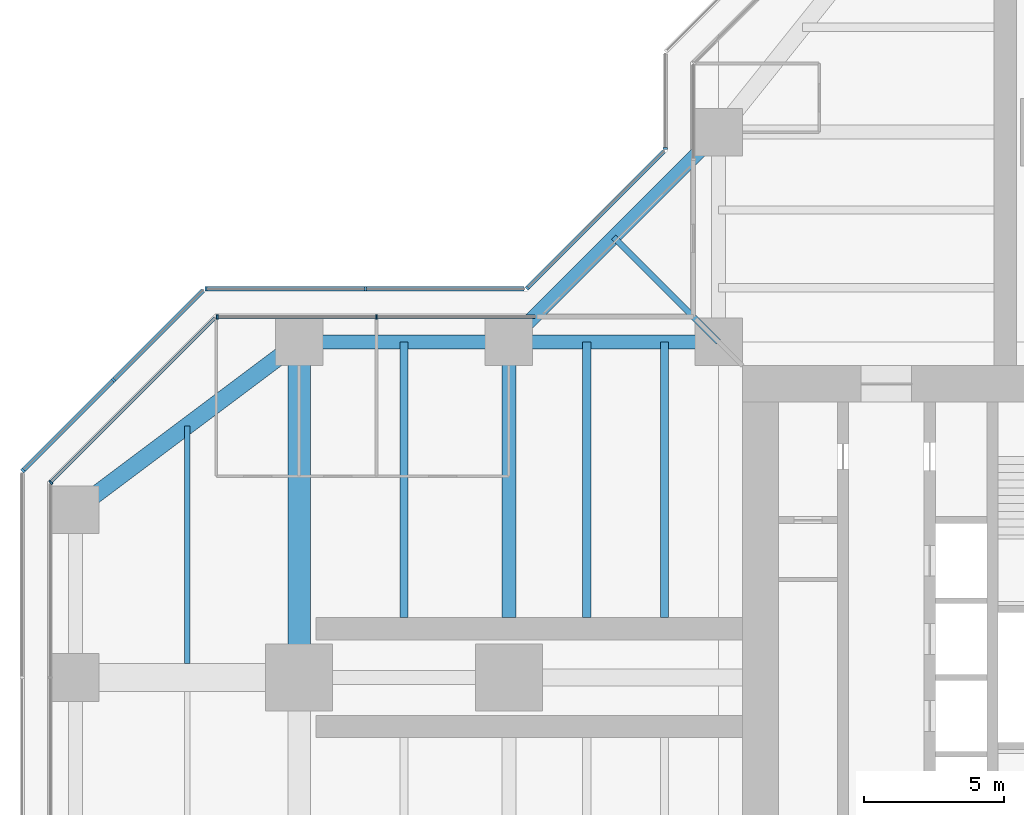
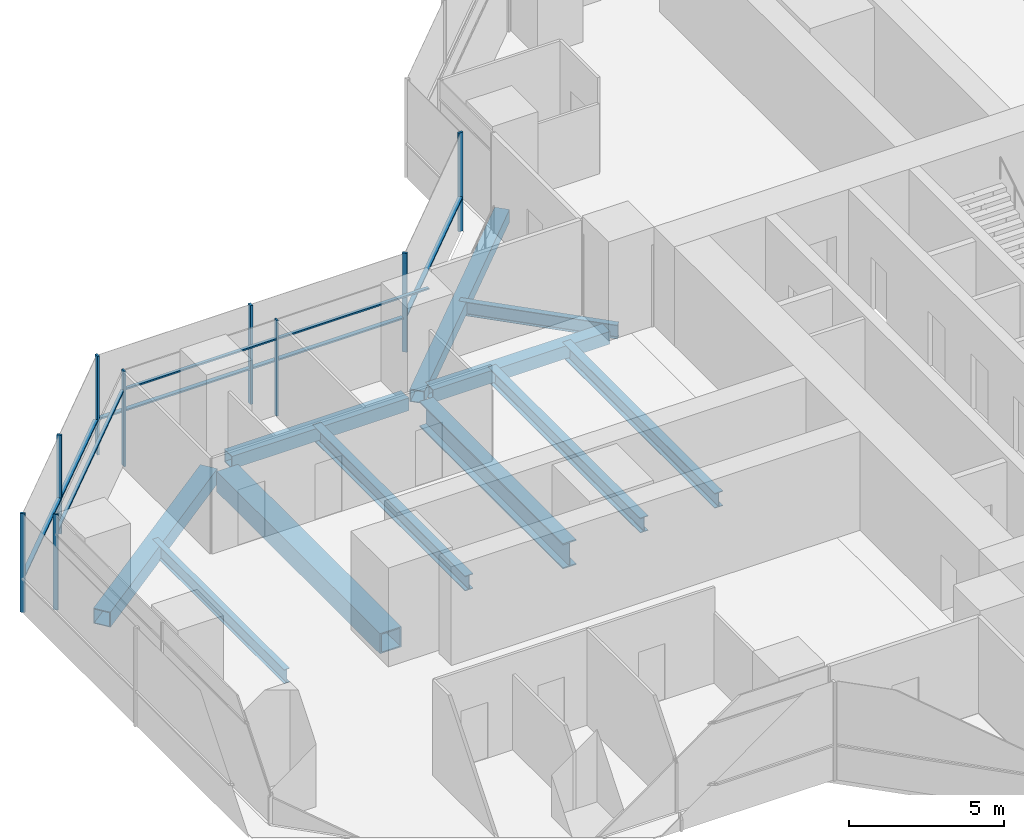
# One storey, part 7 of 20: 17 members, 11 beams, 6 elements without a shape of their own.
"""IFC4 building model written with IfcOpenShell, lengths in metres."""

from ifc_helpers import new_model, si_unit, direction, frame, origin, origin_2d, place, context, subcontext, project, spatial, rectangle, hollow_rectangle, i_section, extrude, material, material_profile, profile_set, type_object, element, aggregate, save


model = new_model("IFC4")

# Units and contexts
model_context = context("Model", 3, precision=1e-05, world=origin(), true_north=direction((0.0, 1.0)))
body_context = subcontext(model_context, "Body", "Model", "MODEL_VIEW")
ifc_project = project(units=[si_unit("LENGTHUNIT", "METRE"), si_unit("AREAUNIT", "SQUARE_METRE"), si_unit("VOLUMEUNIT", "CUBIC_METRE"), si_unit("PLANEANGLEUNIT", "RADIAN"), si_unit("MASSUNIT", "GRAM", prefix="KILO")], contexts=[model_context])

# Site, building, storey
site_placement = place(None, origin())
site = spatial("IfcSite", under=ifc_project, at=site_placement, CompositionType="ELEMENT")
building_placement = place(site_placement, origin())
building = spatial("IfcBuilding", under=site, at=building_placement, Name="Mizan Broadcast Tower", CompositionType="ELEMENT")
storey_placement = place(building_placement, frame((0.0, 0.0, 174.89990234375)))
storey = spatial("IfcBuildingStorey", under=building, at=storey_placement, Name="L40", CompositionType="ELEMENT", Elevation=174.89990234375)

# Beams
ifc_material_1 = material(Name="Steel S355", Category="steel")
ifc_material_profile_1 = material_profile(ifc_material_1, hollow_rectangle(XDim=0.5, YDim=0.5, WallThickness=0.030029296875, at=origin_2d()), Name="BOX 500x500x30")
ifc_profile_set_1 = profile_set([ifc_material_profile_1], Name="Steel S355")
beam_type_1 = type_object("IfcBeamType", Name="EDGE BEAM BOX 500x500x30", PredefinedType="SPANDREL", material=ifc_profile_set_1)
for number, where, z_axis, x_axis, name in (
    (1, (-12.449951171875, 12.0, -0.3798828125), (-1.0, 0.0, 0.0), (0.0, -1.0, 0.0), "Edge beam BOX 500x500x30 L40 west arm"),
    (2, (-19.949951171875, 12.0, -0.3798828125), (-1.0, 0.0, 0.0), (0.0, -1.0, 0.0), "Edge beam BOX 500x500x30 L40 west arm"),
):
    element("IfcBeam", number, at=place(storey_placement, frame(where, z_axis=z_axis, x_axis=x_axis)), inside=storey, type_object=beam_type_1, Name=name, PredefinedType="SPANDREL", context=body_context, shape_type="SweptSolid", body=[
        extrude(hollow_rectangle(XDim=0.5, YDim=0.5, WallThickness=0.030029296875, at=origin_2d()), origin(), (0.0, 0.0, 1.0), 6.60009765625),
    ])
beam_1_placement = place(storey_placement, frame((-12.0, 19.5, -0.3798828125), z_axis=(-0.707106781187, -0.707106781187, 0.0), x_axis=(0.707106781187, -0.707106781187, 0.0)))
element("IfcBeam", 3, at=beam_1_placement, inside=storey, type_object=beam_type_1, Name="Winter garden edge beam L40 N", PredefinedType="SPANDREL", context=body_context, shape_type="SweptSolid", body=[
    extrude(hollow_rectangle(XDim=0.5, YDim=0.5, WallThickness=0.030029296875, at=origin_2d()), origin(), (0.0, 0.0, 1.0), 10.606689453125),
])
ifc_material_2 = material(Name="Steel S355", Category="steel")
ifc_material_profile_2 = material_profile(ifc_material_2, hollow_rectangle(XDim=0.60009765625, YDim=0.60009765625, WallThickness=0.030029296875, at=origin_2d()), Name="BOX 600x600x30")
ifc_profile_set_2 = profile_set([ifc_material_profile_2], Name="Steel S355")
beam_type_2 = type_object("IfcBeamType", Name="EDGE BEAM BOX 600x600x30", PredefinedType="SPANDREL", material=ifc_profile_set_2)
beam_2_placement = place(storey_placement, frame((-27.47998046875, 11.639892578125, -0.429931640625), z_axis=(-0.800013316712, -0.599982243973, 0.0), x_axis=(0.599982243973, -0.800013316712, 0.0)))
element("IfcBeam", 4, at=beam_2_placement, inside=storey, type_object=beam_type_2, Name="Edge beam BOX 600x600x30 L40 west arm", PredefinedType="SPANDREL", context=body_context, shape_type="SweptSolid", body=[
    extrude(hollow_rectangle(XDim=0.60009765625, YDim=0.60009765625, WallThickness=0.030029296875, at=origin_2d()), origin(), (0.0, 0.0, 1.0), 8.7998046875),
])
ifc_material_3 = material(Name="Steel S460", Category="steel")
ifc_material_profile_3 = material_profile(ifc_material_3, hollow_rectangle(XDim=0.800048828125, YDim=0.800048828125, WallThickness=0.050048828125, at=origin_2d()), Name="BOX 800x800x50")
ifc_profile_set_3 = profile_set([ifc_material_profile_3], Name="Steel S460")
beam_type_3 = type_object("IfcBeamType", Name="GIRDER BOX 800x800x50", PredefinedType="BEAM", material=ifc_profile_set_3)
beam_3_placement = place(storey_placement, frame((-27.0, 11.280029296875, -0.52978515625), z_axis=(0.0, -1.0, 0.0), x_axis=(1.0, 0.0, 0.0)))
element("IfcBeam", 5, at=beam_3_placement, inside=storey, type_object=beam_type_3, Name="Girder BOX 800x800x50 L40 west arm", PredefinedType="BEAM", context=body_context, shape_type="SweptSolid", body=[
    extrude(hollow_rectangle(XDim=0.800048828125, YDim=0.800048828125, WallThickness=0.050048828125, at=origin_2d()), origin(), (0.0, 0.0, 1.0), 10.56005859375),
])
ifc_material_4 = material(Name="Steel S460", Category="steel")
ifc_material_profile_4 = material_profile(ifc_material_4, i_section(OverallWidth=0.5, OverallDepth=1.0, WebThickness=0.02490234375, FlangeThickness=0.050048828125, at=origin_2d()), Name="WPG 1000x500")
ifc_profile_set_4 = profile_set([ifc_material_profile_4], Name="Steel S460")
beam_type_4 = type_object("IfcBeamType", Name="GIRDER WPG 1000x500", PredefinedType="BEAM", material=ifc_profile_set_4)
beam_4_placement = place(storey_placement, frame((-19.5, 11.408935546875, -0.6298828125), z_axis=(0.0, -1.0, 0.0), x_axis=(1.0, 0.0, 0.0)))
element("IfcBeam", 6, at=beam_4_placement, inside=storey, type_object=beam_type_4, Name="Girder WPG 1000x500 L40 west arm", PredefinedType="BEAM", context=body_context, shape_type="SweptSolid", body=[
    extrude(i_section(OverallWidth=0.5, OverallDepth=1.0, WebThickness=0.02490234375, FlangeThickness=0.050048828125, at=origin_2d()), origin(), (0.0, 0.0, 1.0), 9.259033203125),
])

# Curtain wall, members
ifc_material_5 = material(Name="Aluminium framed glazing", Category="aluminium")
curtain_wall_type_1 = type_object("IfcCurtainWallType", Name="INNER SKIN MID ZONE", PredefinedType="USERDEFINED", material=ifc_material_5)
curtain_wall_1_placement = place(storey_placement, origin())
curtain_wall_1 = element("IfcCurtainWall", 7, at=curtain_wall_1_placement, inside=storey, type_object=curtain_wall_type_1, Name="Inner skin mid zone L40 W side", ObjectType="INNER SKIN MID ZONE", PredefinedType="USERDEFINED")
ifc_material_6 = material(Name="Aluminium, pale anodised", Category="aluminium")
ifc_material_profile_5 = material_profile(ifc_material_6, rectangle(XDim=0.159912109375, YDim=0.06005859375, at=origin_2d()), Name="MULLION 160x60")
ifc_profile_set_5 = profile_set([ifc_material_profile_5], Name="Aluminium, pale anodised")
member_type_1 = type_object("IfcMemberType", Name="INNER SKIN MULLION 60x160", PredefinedType="MULLION", material=ifc_profile_set_5)
member_1_placement = place(storey_placement, frame((-24.229248046875, 12.89990234375, 0.0), z_axis=(0.0, 0.0, 1.0), x_axis=(0.0, -1.0, 0.0)))
member_1 = element("IfcMember", 8, at=member_1_placement, type_object=member_type_1, Name="Inner skin mid zone L40 W side mullion 2", PredefinedType="MULLION", context=body_context, shape_type="SweptSolid", body=[
    extrude(rectangle(XDim=0.159912109375, YDim=0.06005859375, at=origin_2d()), origin(), (0.0, 0.0, 1.0), 3.77001953125),
])
member_2_placement = place(storey_placement, frame((-29.928466796875, 12.89990234375, 0.0), z_axis=(0.0, 0.0, 1.0), x_axis=(0.0, -1.0, 0.0)))
member_2 = element("IfcMember", 9, at=member_2_placement, type_object=member_type_1, Name="Inner skin mid zone L40 W side mullion 3", PredefinedType="MULLION", context=body_context, shape_type="SweptSolid", body=[
    extrude(rectangle(XDim=0.159912109375, YDim=0.06005859375, at=origin_2d()), origin(), (0.0, 0.0, 1.0), 3.77001953125),
])

# Curtain wall, member
curtain_wall_2_placement = place(storey_placement, origin())
curtain_wall_2 = element("IfcCurtainWall", 10, at=curtain_wall_2_placement, inside=storey, type_object=curtain_wall_type_1, Name="Inner skin mid zone L40 W chamfer", ObjectType="INNER SKIN MID ZONE", PredefinedType="USERDEFINED")
member_3_placement = place(storey_placement, frame((-35.87890625, 6.979736328125, 0.0), z_axis=(0.0, 0.0, 1.0), x_axis=(0.707106781187, -0.707106781187, 0.0)))
member_3 = element("IfcMember", 11, at=member_3_placement, type_object=member_type_1, Name="Inner skin mid zone L40 W chamfer mullion 2", PredefinedType="MULLION", context=body_context, shape_type="SweptSolid", body=[
    extrude(rectangle(XDim=0.159912109375, YDim=0.06005859375, at=origin_2d()), origin(), (0.0, 0.0, 1.0), 3.77001953125),
])

# Member
ifc_material_7 = material(Name="Aluminium, pale anodised", Category="aluminium")
ifc_material_profile_6 = material_profile(ifc_material_7, rectangle(XDim=0.1201171875, YDim=0.06005859375, at=origin_2d()), Name="TRANSOM 120x60")
ifc_profile_set_6 = profile_set([ifc_material_profile_6], Name="Aluminium, pale anodised")
member_type_2 = type_object("IfcMemberType", Name="INNER SKIN TRANSOM 60x120", PredefinedType="USERDEFINED", material=ifc_profile_set_6)
member_4_placement = place(storey_placement, frame((-18.56005859375, 12.89990234375, 3.030029296875), z_axis=(-1.0, 0.0, 0.0), x_axis=(0.0, -1.0, 0.0)))
member_4 = element("IfcMember", 12, at=member_4_placement, type_object=member_type_2, Name="Inner skin mid zone L40 W side transom 1.1", ObjectType="TRANSOM", PredefinedType="USERDEFINED", context=body_context, shape_type="SweptSolid", body=[
    extrude(rectangle(XDim=0.1201171875, YDim=0.06005859375, at=origin_2d()), origin(), (0.0, 0.0, 1.0), 5.63916015625),
])

member_5_placement = place(storey_placement, frame((-24.25927734375, 12.89990234375, 3.030029296875), z_axis=(-1.0, 0.0, 0.0), x_axis=(0.0, -1.0, 0.0)))
member_5 = element("IfcMember", 13, at=member_5_placement, type_object=member_type_2, Name="Inner skin mid zone L40 W side transom 2.1", ObjectType="TRANSOM", PredefinedType="USERDEFINED", context=body_context, shape_type="SweptSolid", body=[
    extrude(rectangle(XDim=0.1201171875, YDim=0.06005859375, at=origin_2d()), origin(), (0.0, 0.0, 1.0), 5.639404296875),
])

aggregate(curtain_wall_1, [member_1, member_2, member_4, member_5])

member_6_placement = place(storey_placement, frame((-30.0009765625, 12.857666015625, 3.030029296875), z_axis=(-0.707106781187, -0.707106781187, 0.0), x_axis=(0.707106781187, -0.707106781187, 0.0)))
member_6 = element("IfcMember", 14, at=member_6_placement, type_object=member_type_2, Name="Inner skin mid zone L40 W chamfer transom 1.1", ObjectType="TRANSOM", PredefinedType="USERDEFINED", context=body_context, shape_type="SweptSolid", body=[
    extrude(rectangle(XDim=0.1201171875, YDim=0.06005859375, at=origin_2d()), origin(), (0.0, 0.0, 1.0), 8.28271484375),
])

aggregate(curtain_wall_2, [member_3, member_6])

# Curtain wall, member
ifc_material_8 = material(Name="Aluminium framed glazing", Category="aluminium")
curtain_wall_type_2 = type_object("IfcCurtainWallType", Name="OUTER SKIN", PredefinedType="USERDEFINED", material=ifc_material_8)
curtain_wall_3_placement = place(storey_placement, origin())
curtain_wall_3 = element("IfcCurtainWall", 15, at=curtain_wall_3_placement, inside=storey, type_object=curtain_wall_type_2, Name="Outer skin L40 N side", ObjectType="OUTER SKIN", PredefinedType="USERDEFINED")
ifc_material_9 = material(Name="Aluminium, pale anodised", Category="aluminium")
ifc_material_profile_7 = material_profile(ifc_material_9, rectangle(XDim=0.159912109375, YDim=0.080078125, at=origin_2d()), Name="MULLION 160x80")
ifc_profile_set_7 = profile_set([ifc_material_profile_7], Name="Aluminium, pale anodised")
member_type_3 = type_object("IfcMemberType", Name="OUTER SKIN MULLION 80x160", PredefinedType="MULLION", material=ifc_profile_set_7)
member_7_placement = place(storey_placement, frame((-13.89990234375, 18.912841796875, 0.0), z_axis=(0.0, 0.0, 1.0), x_axis=(1.0, 0.0, 0.0)))
member_7 = element("IfcMember", 16, at=member_7_placement, type_object=member_type_3, Name="Outer skin L40 N side mullion 2", PredefinedType="MULLION", context=body_context, shape_type="SweptSolid", body=[
    extrude(rectangle(XDim=0.159912109375, YDim=0.080078125, at=origin_2d()), origin(), (0.0, 0.0, 1.0), 3.900146484375),
])
aggregate(curtain_wall_3, [member_7])

curtain_wall_4_placement = place(storey_placement, origin())
curtain_wall_4 = element("IfcCurtainWall", 17, at=curtain_wall_4_placement, inside=storey, type_object=curtain_wall_type_2, Name="Outer skin L40 W chamfer", ObjectType="OUTER SKIN", PredefinedType="USERDEFINED")
member_8_placement = place(storey_placement, frame((-18.844482421875, 13.92822265625, 0.0), z_axis=(0.0, 0.0, 1.0), x_axis=(0.707106781187, -0.707106781187, 0.0)))
member_8 = element("IfcMember", 18, at=member_8_placement, type_object=member_type_3, Name="Outer skin L40 W chamfer mullion 2", PredefinedType="MULLION", context=body_context, shape_type="SweptSolid", body=[
    extrude(rectangle(XDim=0.159912109375, YDim=0.080078125, at=origin_2d()), origin(), (0.0, 0.0, 1.0), 3.900146484375),
])

# Curtain wall, members
curtain_wall_5_placement = place(storey_placement, origin())
curtain_wall_5 = element("IfcCurtainWall", 19, at=curtain_wall_5_placement, inside=storey, type_object=curtain_wall_type_2, Name="Outer skin L40 W side", ObjectType="OUTER SKIN", PredefinedType="USERDEFINED")
member_9_placement = place(storey_placement, frame((-24.622802734375, 13.89990234375, 0.0), z_axis=(0.0, 0.0, 1.0), x_axis=(0.0, -1.0, 0.0)))
member_9 = element("IfcMember", 20, at=member_9_placement, type_object=member_type_3, Name="Outer skin L40 W side mullion 2", PredefinedType="MULLION", context=body_context, shape_type="SweptSolid", body=[
    extrude(rectangle(XDim=0.159912109375, YDim=0.080078125, at=origin_2d()), origin(), (0.0, 0.0, 1.0), 3.900146484375),
])
member_10_placement = place(storey_placement, frame((-30.332763671875, 13.89990234375, 0.0), z_axis=(0.0, 0.0, 1.0), x_axis=(0.0, -1.0, 0.0)))
member_10 = element("IfcMember", 21, at=member_10_placement, type_object=member_type_3, Name="Outer skin L40 W side mullion 3", PredefinedType="MULLION", context=body_context, shape_type="SweptSolid", body=[
    extrude(rectangle(XDim=0.159912109375, YDim=0.080078125, at=origin_2d()), origin(), (0.0, 0.0, 1.0), 3.900146484375),
])

curtain_wall_6_placement = place(storey_placement, origin())
curtain_wall_6 = element("IfcCurtainWall", 22, at=curtain_wall_6_placement, inside=storey, type_object=curtain_wall_type_2, Name="Outer skin L40 W chamfer", ObjectType="OUTER SKIN", PredefinedType="USERDEFINED")
member_11_placement = place(storey_placement, frame((-33.636474609375, 10.636474609375, 0.0), z_axis=(0.0, 0.0, 1.0), x_axis=(0.707106781187, -0.707106781187, 0.0)))
member_11 = element("IfcMember", 23, at=member_11_placement, type_object=member_type_3, Name="Outer skin L40 W chamfer mullion 2", PredefinedType="MULLION", context=body_context, shape_type="SweptSolid", body=[
    extrude(rectangle(XDim=0.159912109375, YDim=0.080078125, at=origin_2d()), origin(), (0.0, 0.0, 1.0), 3.900146484375),
])
member_12_placement = place(storey_placement, frame((-36.871826171875, 7.401123046875, 0.0), z_axis=(0.0, 0.0, 1.0), x_axis=(0.707106781187, -0.707106781187, 0.0)))
member_12 = element("IfcMember", 24, at=member_12_placement, type_object=member_type_3, Name="Outer skin L40 W chamfer mullion 3", PredefinedType="MULLION", context=body_context, shape_type="SweptSolid", body=[
    extrude(rectangle(XDim=0.159912109375, YDim=0.080078125, at=origin_2d()), origin(), (0.0, 0.0, 1.0), 3.900146484375),
])

# Member
ifc_material_10 = material(Name="Aluminium, pale anodised", Category="aluminium")
ifc_material_profile_8 = material_profile(ifc_material_10, rectangle(XDim=0.159912109375, YDim=0.06005859375, at=origin_2d()), Name="TRANSOM 160x60")
ifc_profile_set_8 = profile_set([ifc_material_profile_8], Name="Aluminium, pale anodised")
member_type_4 = type_object("IfcMemberType", Name="OUTER SKIN TRANSOM 60x160", PredefinedType="USERDEFINED", material=ifc_profile_set_8)
member_13_placement = place(storey_placement, frame((-13.95654296875, 18.816162109375, 1.400146484375), z_axis=(-0.707106781187, -0.707106781187, 0.0), x_axis=(0.707106781187, -0.707106781187, 0.0)))
member_13 = element("IfcMember", 25, at=member_13_placement, type_object=member_type_4, Name="Outer skin L40 W chamfer transom 1.1", ObjectType="TRANSOM", PredefinedType="USERDEFINED", context=body_context, shape_type="SweptSolid", body=[
    extrude(rectangle(XDim=0.159912109375, YDim=0.06005859375, at=origin_2d()), origin(), (0.0, 0.0, 1.0), 6.87255859375),
])

aggregate(curtain_wall_4, [member_8, member_13])

member_14_placement = place(storey_placement, frame((-18.952880859375, 13.89990234375, 1.400146484375), z_axis=(-1.0, 0.0, 0.0), x_axis=(0.0, -1.0, 0.0)))
member_14 = element("IfcMember", 26, at=member_14_placement, type_object=member_type_4, Name="Outer skin L40 W side transom 1.1", ObjectType="TRANSOM", PredefinedType="USERDEFINED", context=body_context, shape_type="SweptSolid", body=[
    extrude(rectangle(XDim=0.159912109375, YDim=0.06005859375, at=origin_2d()), origin(), (0.0, 0.0, 1.0), 5.6298828125),
])

member_15_placement = place(storey_placement, frame((-24.662841796875, 13.89990234375, 1.400146484375), z_axis=(-1.0, 0.0, 0.0), x_axis=(0.0, -1.0, 0.0)))
member_15 = element("IfcMember", 27, at=member_15_placement, type_object=member_type_4, Name="Outer skin L40 W side transom 2.1", ObjectType="TRANSOM", PredefinedType="USERDEFINED", context=body_context, shape_type="SweptSolid", body=[
    extrude(rectangle(XDim=0.159912109375, YDim=0.06005859375, at=origin_2d()), origin(), (0.0, 0.0, 1.0), 5.6298828125),
])

aggregate(curtain_wall_5, [member_9, member_10, member_14, member_15])

member_16_placement = place(storey_placement, frame((-30.429443359375, 13.843505859375, 1.400146484375), z_axis=(-0.707106781187, -0.707106781187, 0.0), x_axis=(0.707106781187, -0.707106781187, 0.0)))
member_16 = element("IfcMember", 28, at=member_16_placement, type_object=member_type_4, Name="Outer skin L40 W chamfer transom 1.1", ObjectType="TRANSOM", PredefinedType="USERDEFINED", context=body_context, shape_type="SweptSolid", body=[
    extrude(rectangle(XDim=0.159912109375, YDim=0.06005859375, at=origin_2d()), origin(), (0.0, 0.0, 1.0), 4.495361328125),
])

member_17_placement = place(storey_placement, frame((-33.664794921875, 10.608154296875, 1.400146484375), z_axis=(-0.707106781187, -0.707106781187, 0.0), x_axis=(0.707106781187, -0.707106781187, 0.0)))
member_17 = element("IfcMember", 29, at=member_17_placement, type_object=member_type_4, Name="Outer skin L40 W chamfer transom 2.1", ObjectType="TRANSOM", PredefinedType="USERDEFINED", context=body_context, shape_type="SweptSolid", body=[
    extrude(rectangle(XDim=0.159912109375, YDim=0.06005859375, at=origin_2d()), origin(), (0.0, 0.0, 1.0), 4.495361328125),
])

aggregate(curtain_wall_6, [member_11, member_12, member_16, member_17])

# Beams
ifc_material_11 = material(Name="Steel S355", Category="steel")
ifc_material_profile_9 = material_profile(ifc_material_11, i_section(OverallWidth=0.300048828125, OverallDepth=0.590087890625, WebThickness=0.012939453125, FlangeThickness=0.02490234375, FilletRadius=0.027099609375, at=origin_2d()), Name="HEA 600")
ifc_profile_set_9 = profile_set([ifc_material_profile_9], Name="Steel S355")
beam_type_5 = type_object("IfcBeamType", Name="SECONDARY BEAM HEA 600", PredefinedType="JOIST", material=ifc_profile_set_9)
for number, where, z_axis, x_axis, name in (
    (30, (-13.933349609375, 12.0, -0.4248046875), (0.0, -1.0, 0.0), (1.0, 0.0, 0.0), "Secondary beam HEA 600 L40 west arm"),
    (31, (-16.716552734375, 12.0, -0.4248046875), (0.0, -1.0, 0.0), (1.0, 0.0, 0.0), "Secondary beam HEA 600 L40 west arm"),
    (32, (-23.25, 12.0, -0.4248046875), (0.0, -1.0, 0.0), (1.0, 0.0, 0.0), "Secondary beam HEA 600 L40 west arm"),
):
    element("IfcBeam", number, at=place(storey_placement, frame(where, z_axis=z_axis, x_axis=x_axis)), inside=storey, type_object=beam_type_5, Name=name, PredefinedType="JOIST", context=body_context, shape_type="SweptSolid", body=[
        extrude(i_section(OverallWidth=0.300048828125, OverallDepth=0.590087890625, WebThickness=0.012939453125, FlangeThickness=0.02490234375, FilletRadius=0.027099609375, at=origin_2d()), origin(), (0.0, 0.0, 1.0), 9.85009765625),
    ])
ifc_material_12 = material(Name="Steel S355", Category="steel")
ifc_material_profile_10 = material_profile(ifc_material_12, i_section(OverallWidth=0.2099609375, OverallDepth=0.550048828125, WebThickness=0.010986328125, FlangeThickness=0.01708984375, FilletRadius=0.02392578125, at=origin_2d()), Name="IPE 550")
ifc_profile_set_10 = profile_set([ifc_material_profile_10], Name="Steel S355")
beam_type_6 = type_object("IfcBeamType", Name="SECONDARY BEAM IPE 550", PredefinedType="JOIST", material=ifc_profile_set_10)
beam_5_placement = place(storey_placement, frame((-31.0, 9.0, -0.40478515625), z_axis=(0.0, -1.0, 0.0), x_axis=(1.0, 0.0, 0.0)))
element("IfcBeam", 33, at=beam_5_placement, inside=storey, type_object=beam_type_6, Name="Secondary beam IPE 550 L40 west arm", PredefinedType="JOIST", context=body_context, shape_type="SweptSolid", body=[
    extrude(i_section(OverallWidth=0.2099609375, OverallDepth=0.550048828125, WebThickness=0.010986328125, FlangeThickness=0.01708984375, FilletRadius=0.02392578125, at=origin_2d()), origin(), (0.0, 0.0, 1.0), 8.5),
])
beam_6_placement = place(storey_placement, frame((-12.0, 12.0, -0.40478515625), z_axis=(-0.707106781187, 0.707106781187, 0.0), x_axis=(-0.707106781187, -0.707106781187, 0.0)))
element("IfcBeam", 34, at=beam_6_placement, inside=storey, type_object=beam_type_6, Name="Winter garden beam L40 N", PredefinedType="JOIST", context=body_context, shape_type="SweptSolid", body=[
    extrude(i_section(OverallWidth=0.2099609375, OverallDepth=0.550048828125, WebThickness=0.010986328125, FlangeThickness=0.01708984375, FilletRadius=0.02392578125, at=origin_2d()), origin(), (0.0, 0.0, 1.0), 5.30322265625),
])

save(model, "model.ifc")
